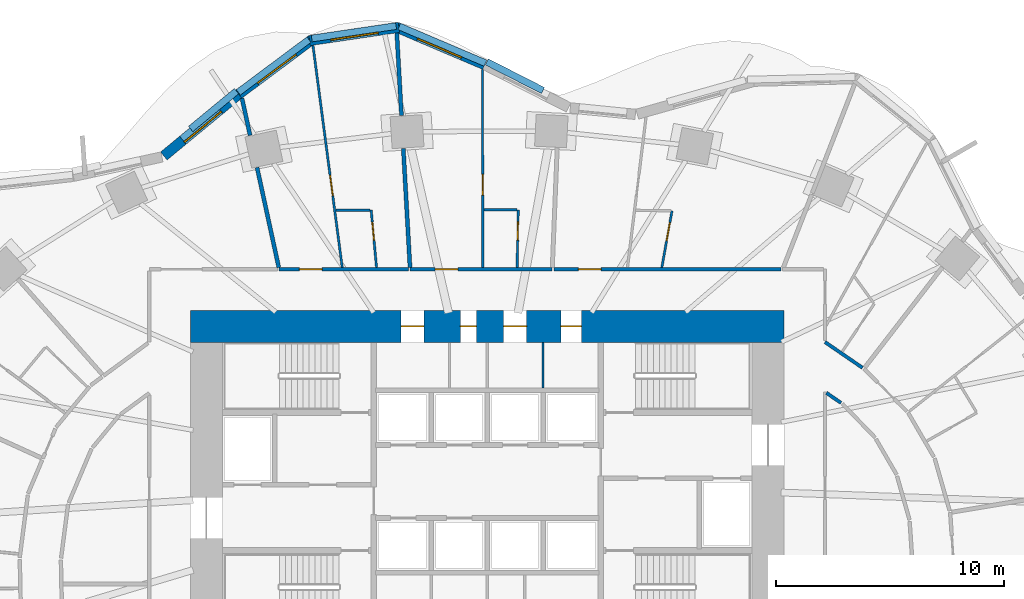
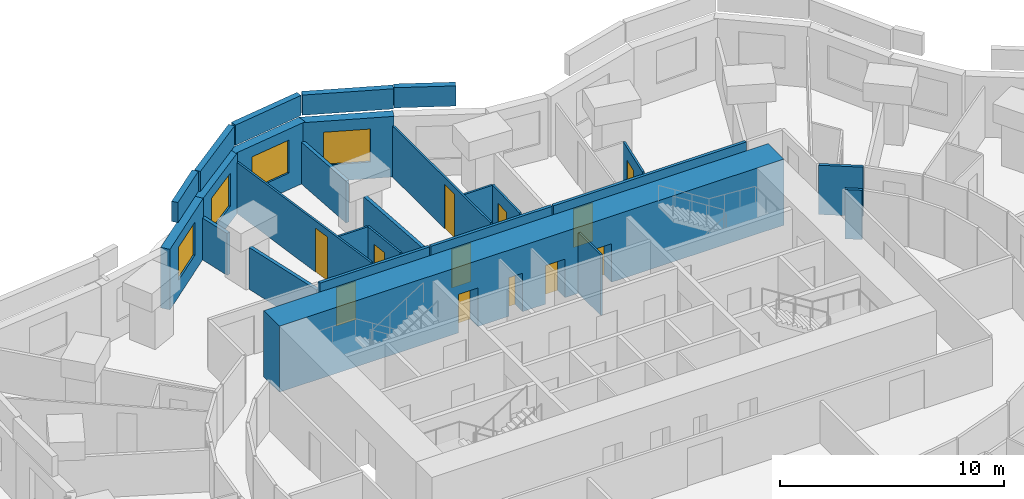
# One storey, part 9 of 12: 27 walls, 12 doors, 4 windows, 16 openings.
"""IFC4 building model written with IfcOpenShell, lengths in metres."""

from ifc_helpers import new_model, si_unit, direction, frame, frame_2d, origin, place, context, subcontext, project, spatial, rectangle, extrude, material, layer, layer_set, type_object, element, fill, save


model = new_model("IFC4")

# Units and contexts
model_context = context("Model", 3, precision=1e-05, world=origin(), true_north=direction((0.0, 1.0)))
body_context = subcontext(model_context, "Body", "Model", "MODEL_VIEW")
ifc_project = project(units=[si_unit("LENGTHUNIT", "METRE"), si_unit("AREAUNIT", "SQUARE_METRE"), si_unit("VOLUMEUNIT", "CUBIC_METRE"), si_unit("PLANEANGLEUNIT", "RADIAN"), si_unit("MASSUNIT", "GRAM", prefix="KILO")], contexts=[model_context])

# Site, building, storey
site_placement = place(None, origin())
site = spatial("IfcSite", under=ifc_project, at=site_placement, CompositionType="ELEMENT")
building_placement = place(site_placement, origin())
building = spatial("IfcBuilding", under=site, at=building_placement, Name="Rubra Terraces Tower", CompositionType="ELEMENT")
storey_placement = place(building_placement, frame((0.0, 0.0, 73.5)))
storey = spatial("IfcBuildingStorey", under=building, at=storey_placement, Name="L16", CompositionType="ELEMENT", Elevation=73.5)

# Walls
ifc_material_1 = material(Name="Twin plasterboard on staggered steel stud, acoustic mineral wool", Category="steel")
ifc_layer_1 = layer(ifc_material_1, 0.175048828125)
ifc_layer_set_1 = layer_set([ifc_layer_1], Name="Twin plasterboard on staggered steel stud, acoustic mineral wool")
wall_type_1 = type_object("IfcWallType", Name="ACOUSTIC PARTY WALL 175 LOW HEAD", PredefinedType="PARTITIONING", material=ifc_layer_set_1)
wall_1_placement = place(storey_placement, frame((-3.958251953125, 24.15087890625, 0.0), z_axis=(0.0, 0.0, 1.0), x_axis=(0.056208193319, -0.998419069832, 0.0)))
element("IfcWall", 1, at=wall_1_placement, inside=storey, type_object=wall_type_1, Name="PARTITION", PredefinedType="PARTITIONING", context=body_context, shape_type="SweptSolid", body=[
    extrude(rectangle(XDim=3.626708984375, YDim=0.175048828125, at=frame_2d((1.8134765625, 0.0))), origin(), (0.0, 0.0, 1.0), 2.280029296875),
])
wall_2_placement = place(storey_placement, frame((-3.673583984375, 19.09228515625, 0.0), z_axis=(0.0, 0.0, 1.0), x_axis=(0.056204883722, -0.998419256147, 0.0)))
element("IfcWall", 2, at=wall_2_placement, inside=storey, type_object=wall_type_1, Name="PARTITION", PredefinedType="PARTITIONING", context=body_context, shape_type="SweptSolid", body=[
    extrude(rectangle(XDim=5.2255859375, YDim=0.175048828125, at=frame_2d((2.61279296875, 0.0))), origin(), (0.0, 0.0, 1.0), 2.280029296875),
])
wall_3_placement = place(storey_placement, frame((-10.7412109375, 21.289794921875, 0.0), z_axis=(0.0, 0.0, 1.0), x_axis=(0.212673207196, -0.977123383683, 0.0)))
element("IfcWall", 3, at=wall_3_placement, inside=storey, type_object=wall_type_1, Name="PARTITION", PredefinedType="PARTITIONING", context=body_context, shape_type="SweptSolid", body=[
    extrude(rectangle(XDim=1.66455078125, YDim=0.175048828125, at=frame_2d((0.832275390625, 0.0))), origin(), (0.0, 0.0, 1.0), 2.280029296875),
])
wall_4_placement = place(storey_placement, frame((-10.081298828125, 18.256103515625, 0.0), z_axis=(0.0, 0.0, 1.0), x_axis=(0.212553930516, -0.977149336909, 0.0)))
element("IfcWall", 4, at=wall_4_placement, inside=storey, type_object=wall_type_1, Name="PARTITION", PredefinedType="PARTITIONING", context=body_context, shape_type="SweptSolid", body=[
    extrude(rectangle(XDim=4.4853515625, YDim=0.175048828125, at=frame_2d((2.24267578125, 0.0))), origin(), (0.0, 0.0, 1.0), 2.280029296875),
])

# Wall, opening, window
ifc_material_2 = material(Name="Brick masonry red-brown", Category="masonry")
ifc_layer_2 = layer(ifc_material_2, 0.449951171875)
ifc_layer_set_2 = layer_set([ifc_layer_2], Name="Brick masonry red-brown")
wall_type_2 = type_object("IfcWallType", Name="Brick facade wall 450", PredefinedType="SOLIDWALL", material=ifc_layer_set_2)
wall_5_placement = place(storey_placement, frame((-0.103271484375, 22.7578125, 0.0), z_axis=(0.0, 0.0, 1.0), x_axis=(-0.920037498786, 0.391830321475, 0.0)))
wall_5 = element("IfcWall", 5, at=wall_5_placement, inside=storey, type_object=wall_type_2, Name="Facade wall L16 bay 11", PredefinedType="SOLIDWALL", context=body_context, shape_type="SweptSolid", body=[
    extrude(rectangle(XDim=4.219482421875, YDim=0.449951171875, at=frame_2d((2.10986328125, 0.0))), origin(), (0.0, 0.0, 1.0), 3.300048828125),
])
opening_1_placement = place(wall_5_placement, frame((1.059814453125, 0.0, 0.89990234375)))
opening_1 = element("IfcOpeningElement", 6, at=opening_1_placement, cuts=wall_5, Name="Opening W1Z", PredefinedType="OPENING", context=body_context, shape_type="SweptSolid", body=[
    extrude(rectangle(XDim=2.10009765625, YDim=1.800048828125, at=frame_2d((1.050048828125, 0.89990234375))), frame((0.0, 0.23486328125, 0.0), z_axis=(0.0, -1.0, 0.0), x_axis=(1.0, 0.0, 0.0)), (0.0, 0.0, 1.0), 0.469970703125),
])
ifc_material_3 = material(Name="Clear glass in aluminium frame", Category="aluminium")
window_type = type_object("IfcWindowType", Name="Fixed deep-set window under transfer level 2100 x 1800", PartitioningType="SINGLE_PANEL", PredefinedType="WINDOW", material=ifc_material_3)
window_1_placement = place(opening_1_placement, origin())
window_1 = element("IfcWindow", 7, at=window_1_placement, inside=storey, type_object=window_type, Name="Window L16 bay 11", OverallHeight=1.800048828125, OverallWidth=2.10009765625, PartitioningType="SINGLE_PANEL", PredefinedType="WINDOW", context=body_context, shape_type="SweptSolid", body=[
    extrude(rectangle(XDim=2.10009765625, YDim=1.800048828125, at=frame_2d((1.050048828125, 0.89990234375))), frame((0.0, 0.135009765625, 0.0), z_axis=(0.0, -1.0, 0.0), x_axis=(1.0, 0.0, 0.0)), (0.0, 0.0, 1.0), 0.06005859375),
])
fill(opening_1, window_1)

wall_6_placement = place(storey_placement, frame((-3.8662109375, 24.396484375, 0.0), z_axis=(0.0, 0.0, 1.0), x_axis=(-0.989255112942, -0.146199594798, 0.0)))
wall_6 = element("IfcWall", 8, at=wall_6_placement, inside=storey, type_object=wall_type_2, Name="Facade wall L16 bay 12", PredefinedType="SOLIDWALL", context=body_context, shape_type="SweptSolid", body=[
    extrude(rectangle(XDim=3.954345703125, YDim=0.449951171875, at=frame_2d((1.97705078125, 0.0))), origin(), (0.0, 0.0, 1.0), 3.300048828125),
])
opening_2_placement = place(wall_6_placement, frame((0.92724609375, 0.0, 0.89990234375)))
opening_2 = element("IfcOpeningElement", 9, at=opening_2_placement, cuts=wall_6, Name="Opening W1Z", PredefinedType="OPENING", context=body_context, shape_type="SweptSolid", body=[
    extrude(rectangle(XDim=2.10009765625, YDim=1.800048828125, at=frame_2d((1.050048828125, 0.89990234375))), frame((0.0, 0.23486328125, 0.0), z_axis=(0.0, -1.0, 0.0), x_axis=(1.0, 0.0, 0.0)), (0.0, 0.0, 1.0), 0.469970703125),
])
window_2_placement = place(opening_2_placement, origin())
window_2 = element("IfcWindow", 10, at=window_2_placement, inside=storey, type_object=window_type, Name="Window L16 bay 12", OverallHeight=1.800048828125, OverallWidth=2.10009765625, PartitioningType="SINGLE_PANEL", PredefinedType="WINDOW", context=body_context, shape_type="SweptSolid", body=[
    extrude(rectangle(XDim=2.10009765625, YDim=1.800048828125, at=frame_2d((1.050048828125, 0.89990234375))), frame((0.0, 0.135009765625, 0.0), z_axis=(0.0, -1.0, 0.0), x_axis=(1.0, 0.0, 0.0)), (0.0, 0.0, 1.0), 0.06005859375),
])
fill(opening_2, window_2)

wall_7_placement = place(storey_placement, frame((-7.678466796875, 23.859130859375, 0.0), z_axis=(0.0, 0.0, 1.0), x_axis=(-0.801665619573, -0.597772728046, 0.0)))
wall_7 = element("IfcWall", 11, at=wall_7_placement, inside=storey, type_object=wall_type_2, Name="Facade wall L16 bay 13", PredefinedType="SOLIDWALL", context=body_context, shape_type="SweptSolid", body=[
    extrude(rectangle(XDim=4.0029296875, YDim=0.449951171875, at=frame_2d((2.00146484375, 0.0))), origin(), (0.0, 0.0, 1.0), 3.300048828125),
])
opening_3_placement = place(wall_7_placement, frame((0.951416015625, 0.0, 0.89990234375)))
opening_3 = element("IfcOpeningElement", 12, at=opening_3_placement, cuts=wall_7, Name="Opening W1Z", PredefinedType="OPENING", context=body_context, shape_type="SweptSolid", body=[
    extrude(rectangle(XDim=2.10009765625, YDim=1.800048828125, at=frame_2d((1.050048828125, 0.89990234375))), frame((0.0, 0.23486328125, 0.0), z_axis=(0.0, -1.0, 0.0), x_axis=(1.0, 0.0, 0.0)), (0.0, 0.0, 1.0), 0.469970703125),
])
window_3_placement = place(opening_3_placement, origin())
window_3 = element("IfcWindow", 13, at=window_3_placement, inside=storey, type_object=window_type, Name="Window L16 bay 13", OverallHeight=1.800048828125, OverallWidth=2.10009765625, PartitioningType="SINGLE_PANEL", PredefinedType="WINDOW", context=body_context, shape_type="SweptSolid", body=[
    extrude(rectangle(XDim=2.10009765625, YDim=1.800048828125, at=frame_2d((1.050048828125, 0.89990234375))), frame((0.0, 0.135009765625, 0.0), z_axis=(0.0, -1.0, 0.0), x_axis=(1.0, 0.0, 0.0)), (0.0, 0.0, 1.0), 0.06005859375),
])
fill(opening_3, window_3)

wall_8_placement = place(storey_placement, frame((-10.878662109375, 21.473388671875, 0.0), z_axis=(0.0, 0.0, 1.0), x_axis=(-0.77124668946, -0.636536365023, 0.0)))
wall_8 = element("IfcWall", 14, at=wall_8_placement, inside=storey, type_object=wall_type_2, Name="Facade wall L16 bay 14", PredefinedType="SOLIDWALL", context=body_context, shape_type="SweptSolid", body=[
    extrude(rectangle(XDim=4.2607421875, YDim=0.449951171875, at=frame_2d((2.13037109375, 0.0))), origin(), (0.0, 0.0, 1.0), 3.300048828125),
])
opening_4_placement = place(wall_8_placement, frame((1.080322265625, 0.0, 0.89990234375)))
opening_4 = element("IfcOpeningElement", 15, at=opening_4_placement, cuts=wall_8, Name="Opening W1Z", PredefinedType="OPENING", context=body_context, shape_type="SweptSolid", body=[
    extrude(rectangle(XDim=2.10009765625, YDim=1.800048828125, at=frame_2d((1.050048828125, 0.89990234375))), frame((0.0, 0.23486328125, 0.0), z_axis=(0.0, -1.0, 0.0), x_axis=(1.0, 0.0, 0.0)), (0.0, 0.0, 1.0), 0.469970703125),
])
window_4_placement = place(opening_4_placement, origin())
window_4 = element("IfcWindow", 16, at=window_4_placement, inside=storey, type_object=window_type, Name="Window L16 bay 14", OverallHeight=1.800048828125, OverallWidth=2.10009765625, PartitioningType="SINGLE_PANEL", PredefinedType="WINDOW", context=body_context, shape_type="SweptSolid", body=[
    extrude(rectangle(XDim=2.10009765625, YDim=1.800048828125, at=frame_2d((1.050048828125, 0.89990234375))), frame((0.0, 0.135009765625, 0.0), z_axis=(0.0, -1.0, 0.0), x_axis=(1.0, 0.0, 0.0)), (0.0, 0.0, 1.0), 0.06005859375),
])
fill(opening_4, window_4)

# Walls
ifc_layer_3 = layer(ifc_material_2, 0.300048828125)
ifc_layer_set_3 = layer_set([ifc_layer_3], Name="Brick masonry red-brown")
wall_type_3 = type_object("IfcWallType", Name="Brick parapet 300", PredefinedType="PARAPET", material=ifc_layer_set_3)
wall_9_placement = place(storey_placement, frame((2.448486328125, 21.62744140625, 3.60009765625), z_axis=(0.0, 0.0, 1.0), x_axis=(-0.891061751317, 0.453882094095, 0.0)))
element("IfcWall", 17, at=wall_9_placement, inside=storey, type_object=wall_type_3, Name="Parapet L16 bay 10", PredefinedType="PARAPET", context=body_context, shape_type="SweptSolid", body=[
    extrude(rectangle(XDim=2.7626953125, YDim=0.300048828125, at=frame_2d((1.38134765625, 0.0))), origin(), (0.0, 0.0, 1.0), 1.099853515625),
])
wall_10_placement = place(storey_placement, frame((-0.07470703125, 22.8271484375, 3.60009765625), z_axis=(0.0, 0.0, 1.0), x_axis=(-0.920031521407, 0.391844356367, 0.0)))
element("IfcWall", 18, at=wall_10_placement, inside=storey, type_object=wall_type_3, Name="Parapet L16 bay 11", PredefinedType="PARAPET", context=body_context, shape_type="SweptSolid", body=[
    extrude(rectangle(XDim=4.10595703125, YDim=0.300048828125, at=frame_2d((2.052978515625, 0.0))), origin(), (0.0, 0.0, 1.0), 1.099853515625),
])
wall_11_placement = place(storey_placement, frame((-3.990234375, 24.453857421875, 3.60009765625), z_axis=(0.0, 0.0, 1.0), x_axis=(-0.989258150551, -0.146179039429, 0.0)))
element("IfcWall", 19, at=wall_11_placement, inside=storey, type_object=wall_type_3, Name="Parapet L16 bay 12", PredefinedType="PARAPET", context=body_context, shape_type="SweptSolid", body=[
    extrude(rectangle(XDim=3.734375, YDim=0.300048828125, at=frame_2d((1.8671875, 0.0))), origin(), (0.0, 0.0, 1.0), 1.099853515625),
])
wall_12_placement = place(storey_placement, frame((-7.80615234375, 23.857666015625, 3.60009765625), z_axis=(0.0, 0.0, 1.0), x_axis=(-0.801649538596, -0.597794293439, 0.0)))
element("IfcWall", 20, at=wall_12_placement, inside=storey, type_object=wall_type_3, Name="Parapet L16 bay 13", PredefinedType="PARAPET", context=body_context, shape_type="SweptSolid", body=[
    extrude(rectangle(XDim=3.86474609375, YDim=0.300048828125, at=frame_2d((1.932373046875, 0.0))), origin(), (0.0, 0.0, 1.0), 1.099853515625),
])
wall_13_placement = place(storey_placement, frame((-10.981689453125, 21.60107421875, 3.60009765625), z_axis=(0.0, 0.0, 1.0), x_axis=(-0.771288080572, -0.63648621098, 0.0)))
element("IfcWall", 21, at=wall_13_placement, inside=storey, type_object=wall_type_3, Name="Parapet L16 bay 14", PredefinedType="PARAPET", context=body_context, shape_type="SweptSolid", body=[
    extrude(rectangle(XDim=2.6025390625, YDim=0.300048828125, at=frame_2d((1.30126953125, 0.0))), origin(), (0.0, 0.0, 1.0), 1.099853515625),
])

# Wall, openings, doors
ifc_material_4 = material(Name="Concrete C70", Category="concrete")
ifc_layer_4 = layer(ifc_material_4, 1.39990234375)
ifc_layer_set_4 = layer_set([ifc_layer_4], Name="Concrete C70")
wall_type_4 = type_object("IfcWallType", Name="CORE WALL 1400 C70", PredefinedType="SHEAR", material=ifc_layer_set_4)
wall_14_placement = place(storey_placement, frame((-13.0, 11.300048828125, 0.0), z_axis=(0.0, 0.0, 1.0), x_axis=(1.0, 0.0, 0.0)))
wall_14 = element("IfcWall", 22, at=wall_14_placement, inside=storey, type_object=wall_type_4, Name="CORE WALL N L16", PredefinedType="SHEAR", context=body_context, shape_type="SweptSolid", body=[
    extrude(rectangle(XDim=26.0, YDim=1.39990234375, at=frame_2d((13.0, 0.0))), origin(), (0.0, 0.0, 1.0), 3.60009765625),
])
opening_5_placement = place(wall_14_placement, frame((9.22509765625, 0.0, 0.0)))
opening_5 = element("IfcOpeningElement", 23, at=opening_5_placement, cuts=wall_14, Name="Opening L16.C23", PredefinedType="OPENING", context=body_context, shape_type="SweptSolid", body=[
    extrude(rectangle(XDim=1.0, YDim=2.10009765625, at=frame_2d((0.5, 1.050048828125))), frame((0.0, 0.7099609375, 0.0), z_axis=(0.0, -1.0, 0.0), x_axis=(1.0, 0.0, 0.0)), (0.0, 0.0, 1.0), 1.419921875),
])
opening_6_placement = place(wall_14_placement, frame((11.824951171875, 0.0, 0.0)))
opening_6 = element("IfcOpeningElement", 24, at=opening_6_placement, cuts=wall_14, Name="Opening L16.C24", PredefinedType="OPENING", context=body_context, shape_type="SweptSolid", body=[
    extrude(rectangle(XDim=0.699951171875, YDim=2.10009765625, at=frame_2d((0.35009765625, 1.050048828125))), frame((0.0, 0.7099609375, 0.0), z_axis=(0.0, -1.0, 0.0), x_axis=(1.0, 0.0, 0.0)), (0.0, 0.0, 1.0), 1.419921875),
])
opening_7_placement = place(wall_14_placement, frame((13.72509765625, 0.0, 0.0)))
opening_7 = element("IfcOpeningElement", 25, at=opening_7_placement, cuts=wall_14, Name="Opening L16.C25", PredefinedType="OPENING", context=body_context, shape_type="SweptSolid", body=[
    extrude(rectangle(XDim=1.0, YDim=2.10009765625, at=frame_2d((0.5, 1.050048828125))), frame((0.0, 0.7099609375, 0.0), z_axis=(0.0, -1.0, 0.0), x_axis=(1.0, 0.0, 0.0)), (0.0, 0.0, 1.0), 1.419921875),
])
opening_8_placement = place(wall_14_placement, frame((16.22509765625, 0.0, 0.0)))
opening_8 = element("IfcOpeningElement", 26, at=opening_8_placement, cuts=wall_14, Name="Opening L16.C26", PredefinedType="OPENING", context=body_context, shape_type="SweptSolid", body=[
    extrude(rectangle(XDim=0.89990234375, YDim=2.10009765625, at=frame_2d((0.449951171875, 1.050048828125))), frame((0.0, 0.7099609375, 0.0), z_axis=(0.0, -1.0, 0.0), x_axis=(1.0, 0.0, 0.0)), (0.0, 0.0, 1.0), 1.419921875),
])
ifc_material_5 = material(Name="Painted steel", Category="steel")
door_type_1 = type_object("IfcDoorType", Name="Fire door 1000x2100 single", OperationType="NOTDEFINED", PredefinedType="DOOR", material=ifc_material_5)
door_1_placement = place(opening_5_placement, origin())
door_1 = element("IfcDoor", 27, at=door_1_placement, inside=storey, type_object=door_type_1, Name="General store door", OperationType="SINGLE_SWING_LEFT", OverallHeight=2.10009765625, OverallWidth=1.0, PredefinedType="DOOR", context=body_context, shape_type="SweptSolid", body=[
    extrude(rectangle(XDim=1.0, YDim=2.10009765625, at=frame_2d((0.5, 1.050048828125))), frame((0.0, 0.02490234375, 0.0), z_axis=(0.0, -1.0, 0.0), x_axis=(1.0, 0.0, 0.0)), (0.0, 0.0, 1.0), 0.050048828125),
])
fill(opening_5, door_1)
door_2_placement = place(opening_7_placement, origin())
door_2 = element("IfcDoor", 28, at=door_2_placement, inside=storey, type_object=door_type_1, Name="Tea point door", OperationType="SINGLE_SWING_LEFT", OverallHeight=2.10009765625, OverallWidth=1.0, PredefinedType="DOOR", context=body_context, shape_type="SweptSolid", body=[
    extrude(rectangle(XDim=1.0, YDim=2.10009765625, at=frame_2d((0.5, 1.050048828125))), frame((0.0, 0.02490234375, 0.0), z_axis=(0.0, -1.0, 0.0), x_axis=(1.0, 0.0, 0.0)), (0.0, 0.0, 1.0), 0.050048828125),
])
fill(opening_7, door_2)
door_type_2 = type_object("IfcDoorType", Name="Fire door 900x2100 single", OperationType="NOTDEFINED", PredefinedType="DOOR", material=ifc_material_5)
door_3_placement = place(opening_8_placement, origin())
door_3 = element("IfcDoor", 29, at=door_3_placement, inside=storey, type_object=door_type_2, Name="Cleaner's store door", OperationType="SINGLE_SWING_RIGHT", OverallHeight=2.10009765625, OverallWidth=0.89990234375, PredefinedType="DOOR", context=body_context, shape_type="SweptSolid", body=[
    extrude(rectangle(XDim=0.89990234375, YDim=2.10009765625, at=frame_2d((0.449951171875, 1.050048828125))), frame((0.0, 0.02490234375, 0.0), z_axis=(0.0, -1.0, 0.0), x_axis=(1.0, 0.0, 0.0)), (0.0, 0.0, 1.0), 0.050048828125),
])
fill(opening_8, door_3)
door_type_3 = type_object("IfcDoorType", Name="Riser access door 700x2100 single", OperationType="NOTDEFINED", PredefinedType="DOOR", material=ifc_material_5)
door_4_placement = place(opening_6_placement, origin())
door_4 = element("IfcDoor", 30, at=door_4_placement, inside=storey, type_object=door_type_3, Name="Electrical riser room door", OperationType="SINGLE_SWING_RIGHT", OverallHeight=2.10009765625, OverallWidth=0.699951171875, PredefinedType="DOOR", context=body_context, shape_type="SweptSolid", body=[
    extrude(rectangle(XDim=0.699951171875, YDim=2.10009765625, at=frame_2d((0.35009765625, 1.050048828125))), frame((0.0, 0.02490234375, 0.0), z_axis=(0.0, -1.0, 0.0), x_axis=(1.0, 0.0, 0.0)), (0.0, 0.0, 1.0), 0.050048828125),
])
fill(opening_6, door_4)

# Wall, opening, door
ifc_material_6 = material(Name="Plasterboard on steel stud, mineral wool infill", Category="steel")
ifc_layer_5 = layer(ifc_material_6, 0.14990234375)
ifc_layer_set_5 = layer_set([ifc_layer_5], Name="Plasterboard on steel stud, mineral wool infill")
wall_type_5 = type_object("IfcWallType", Name="CORRIDOR PARTITION 150", PredefinedType="PARTITIONING", material=ifc_layer_set_5)
wall_15_placement = place(storey_placement, frame((2.8505859375, 13.800048828125, 0.0), z_axis=(0.0, 0.0, 1.0), x_axis=(-1.0, 0.0, 0.0)))
wall_15 = element("IfcWall", 31, at=wall_15_placement, inside=storey, type_object=wall_type_5, Name="PARTITION", PredefinedType="PARTITIONING", context=body_context, shape_type="SweptSolid", body=[
    extrude(rectangle(XDim=6.226318359375, YDim=0.14990234375, at=frame_2d((3.11328125, 0.0))), origin(), (0.0, 0.0, 1.0), 2.68408203125),
])
opening_9_placement = place(wall_15_placement, frame((4.133056640625, 0.0, 0.0)))
opening_9 = element("IfcOpeningElement", 32, at=opening_9_placement, cuts=wall_15, Name="Opening 16-103", PredefinedType="OPENING", context=body_context, shape_type="SweptSolid", body=[
    extrude(rectangle(XDim=1.0, YDim=2.10009765625, at=frame_2d((0.5, 1.050048828125))), frame((0.0, 0.0849609375, 0.0), z_axis=(0.0, -1.0, 0.0), x_axis=(1.0, 0.0, 0.0)), (0.0, 0.0, 1.0), 0.169921875),
])
ifc_material_7 = material(Name="Painted timber door leaf", Category="wood")
door_type_4 = type_object("IfcDoorType", Name="ROOM DOOR 1000 X 2100", OperationType="SINGLE_SWING_LEFT", PredefinedType="DOOR", material=ifc_material_7)
door_5_placement = place(opening_9_placement, origin())
door_5 = element("IfcDoor", 33, at=door_5_placement, inside=storey, type_object=door_type_4, Name="DOOR 16-103", OperationType="SINGLE_SWING_RIGHT", OverallHeight=2.10009765625, OverallWidth=1.0, PredefinedType="DOOR", context=body_context, shape_type="SweptSolid", body=[
    extrude(rectangle(XDim=1.0, YDim=2.10009765625, at=frame_2d((0.5, 1.050048828125))), frame((0.0, 0.02490234375, 0.0), z_axis=(0.0, -1.0, 0.0), x_axis=(1.0, 0.0, 0.0)), (0.0, 0.0, 1.0), 0.050048828125),
])
fill(opening_9, door_5)

wall_16_placement = place(storey_placement, frame((-3.45068359375, 13.800048828125, 0.0), z_axis=(0.0, 0.0, 1.0), x_axis=(-1.0, 0.0, 0.0)))
wall_16 = element("IfcWall", 34, at=wall_16_placement, inside=storey, type_object=wall_type_5, Name="PARTITION", PredefinedType="PARTITIONING", context=body_context, shape_type="SweptSolid", body=[
    extrude(rectangle(XDim=5.661376953125, YDim=0.14990234375, at=frame_2d((2.83056640625, 0.0))), origin(), (0.0, 0.0, 1.0), 2.68408203125),
])
opening_10_placement = place(wall_16_placement, frame((3.77490234375, 0.0, 0.0)))
opening_10 = element("IfcOpeningElement", 35, at=opening_10_placement, cuts=wall_16, Name="Opening 16-106", PredefinedType="OPENING", context=body_context, shape_type="SweptSolid", body=[
    extrude(rectangle(XDim=1.0, YDim=2.10009765625, at=frame_2d((0.5, 1.050048828125))), frame((0.0, 0.0849609375, 0.0), z_axis=(0.0, -1.0, 0.0), x_axis=(1.0, 0.0, 0.0)), (0.0, 0.0, 1.0), 0.169921875),
])
door_6_placement = place(opening_10_placement, origin())
door_6 = element("IfcDoor", 36, at=door_6_placement, inside=storey, type_object=door_type_4, Name="DOOR 16-106", OperationType="SINGLE_SWING_RIGHT", OverallHeight=2.10009765625, OverallWidth=1.0, PredefinedType="DOOR", context=body_context, shape_type="SweptSolid", body=[
    extrude(rectangle(XDim=1.0, YDim=2.10009765625, at=frame_2d((0.5, 1.050048828125))), frame((0.0, 0.02490234375, 0.0), z_axis=(0.0, -1.0, 0.0), x_axis=(1.0, 0.0, 0.0)), (0.0, 0.0, 1.0), 0.050048828125),
])
fill(opening_10, door_6)

# Wall
wall_17_placement = place(storey_placement, frame((16.441162109375, 9.482666015625, 0.0), z_axis=(0.0, 0.0, 1.0), x_axis=(-0.824864553064, 0.565330407017, 0.0)))
element("IfcWall", 37, at=wall_17_placement, inside=storey, type_object=wall_type_5, Name="PARTITION", PredefinedType="PARTITIONING", context=body_context, shape_type="SweptSolid", body=[
    extrude(rectangle(XDim=1.989501953125, YDim=0.14990234375, at=frame_2d((0.99462890625, 0.0))), origin(), (0.0, 0.0, 1.0), 2.68408203125),
])

# Wall, opening, door
wall_18_placement = place(storey_placement, frame((12.87158203125, 13.800048828125, 0.0), z_axis=(0.0, 0.0, 1.0), x_axis=(-1.0, 0.0, 0.0)))
wall_18 = element("IfcWall", 38, at=wall_18_placement, inside=storey, type_object=wall_type_5, Name="PARTITION", PredefinedType="PARTITIONING", context=body_context, shape_type="SweptSolid", body=[
    extrude(rectangle(XDim=9.946044921875, YDim=0.14990234375, at=frame_2d((4.97314453125, 0.0))), origin(), (0.0, 0.0, 1.0), 2.68408203125),
])
opening_11_placement = place(wall_18_placement, frame((7.876953125, 0.0, 0.0)))
opening_11 = element("IfcOpeningElement", 39, at=opening_11_placement, cuts=wall_18, Name="Opening 16-139", PredefinedType="OPENING", context=body_context, shape_type="SweptSolid", body=[
    extrude(rectangle(XDim=1.0, YDim=2.10009765625, at=frame_2d((0.5, 1.050048828125))), frame((0.0, 0.0849609375, 0.0), z_axis=(0.0, -1.0, 0.0), x_axis=(1.0, 0.0, 0.0)), (0.0, 0.0, 1.0), 0.169921875),
])
door_7_placement = place(opening_11_placement, origin())
door_7 = element("IfcDoor", 40, at=door_7_placement, inside=storey, type_object=door_type_4, Name="DOOR 16-139", OperationType="SINGLE_SWING_RIGHT", OverallHeight=2.10009765625, OverallWidth=1.0, PredefinedType="DOOR", context=body_context, shape_type="SweptSolid", body=[
    extrude(rectangle(XDim=1.0, YDim=2.10009765625, at=frame_2d((0.5, 1.050048828125))), frame((0.0, 0.02490234375, 0.0), z_axis=(0.0, -1.0, 0.0), x_axis=(1.0, 0.0, 0.0)), (0.0, 0.0, 1.0), 0.050048828125),
])
fill(opening_11, door_7)

# Wall
wall_19_placement = place(storey_placement, frame((14.86181640625, 8.3828125, 0.0), z_axis=(0.0, 0.0, 1.0), x_axis=(0.824875387239, -0.565314598721, 0.0)))
element("IfcWall", 41, at=wall_19_placement, inside=storey, type_object=wall_type_5, Name="PARTITION", PredefinedType="PARTITIONING", context=body_context, shape_type="SweptSolid", body=[
    extrude(rectangle(XDim=0.77685546875, YDim=0.14990234375, at=frame_2d((0.388427734375, 0.0))), origin(), (0.0, 0.0, 1.0), 2.68408203125),
])

# Wall, opening, door
ifc_material_8 = material(Name="Plasterboard on steel stud", Category="steel")
ifc_layer_6 = layer(ifc_material_8, 0.10009765625)
ifc_layer_set_6 = layer_set([ifc_layer_6], Name="Plasterboard on steel stud")
wall_type_6 = type_object("IfcWallType", Name="ROOM PARTITION 100", PredefinedType="PARTITIONING", material=ifc_layer_set_6)
wall_20_placement = place(storey_placement, frame((-0.20751953125, 22.55322265625, 0.0), z_axis=(0.0, 0.0, 1.0), x_axis=(0.002053672595, -0.999997891212, 0.0)))
wall_20 = element("IfcWall", 42, at=wall_20_placement, inside=storey, type_object=wall_type_6, Name="PARTITION", PredefinedType="PARTITIONING", context=body_context, shape_type="SweptSolid", body=[
    extrude(rectangle(XDim=8.67822265625, YDim=0.10009765625, at=frame_2d((4.339111328125, 0.0))), origin(), (0.0, 0.0, 1.0), 2.783935546875),
])
opening_12_placement = place(wall_20_placement, frame((4.60302734375, 0.0, 0.0)))
opening_12 = element("IfcOpeningElement", 43, at=opening_12_placement, cuts=wall_20, Name="Opening 16-102", PredefinedType="OPENING", context=body_context, shape_type="SweptSolid", body=[
    extrude(rectangle(XDim=0.89990234375, YDim=2.39990234375, at=frame_2d((0.449951171875, 1.199951171875))), frame((0.0, 0.06005859375, 0.0), z_axis=(0.0, -1.0, 0.0), x_axis=(1.0, 0.0, 0.0)), (0.0, 0.0, 1.0), 0.1201171875),
])
ifc_material_9 = material(Name="Veneered timber door leaf, fire-rated", Category="wood")
door_type_5 = type_object("IfcDoorType", Name="SUITE ENTRANCE DOOR 900 X 2400", OperationType="SINGLE_SWING_LEFT", PredefinedType="DOOR", material=ifc_material_9)
door_8_placement = place(opening_12_placement, origin())
door_8 = element("IfcDoor", 44, at=door_8_placement, inside=storey, type_object=door_type_5, Name="DOOR 16-102", OperationType="SINGLE_SWING_LEFT", OverallHeight=2.39990234375, OverallWidth=0.89990234375, PredefinedType="DOOR", context=body_context, shape_type="SweptSolid", body=[
    extrude(rectangle(XDim=0.89990234375, YDim=2.39990234375, at=frame_2d((0.449951171875, 1.199951171875))), frame((0.0, 0.02490234375, 0.0), z_axis=(0.0, -1.0, 0.0), x_axis=(1.0, 0.0, 0.0)), (0.0, 0.0, 1.0), 0.050048828125),
])
fill(opening_12, door_8)

wall_21_placement = place(storey_placement, frame((1.31201171875, 13.875, 0.0), z_axis=(0.0, 0.0, 1.0), x_axis=(0.019145426353, 0.999816709527, 0.0)))
wall_21 = element("IfcWall", 45, at=wall_21_placement, inside=storey, type_object=wall_type_6, Name="PARTITION", PredefinedType="PARTITIONING", context=body_context, shape_type="SweptSolid", body=[
    extrude(rectangle(XDim=2.52490234375, YDim=0.10009765625, at=frame_2d((1.262451171875, 0.0))), origin(), (0.0, 0.0, 1.0), 2.783935546875),
])
opening_13_placement = place(wall_21_placement, frame((1.199951171875, 0.0, 0.0)))
opening_13 = element("IfcOpeningElement", 46, at=opening_13_placement, cuts=wall_21, Name="Opening 16-101", PredefinedType="OPENING", context=body_context, shape_type="SweptSolid", body=[
    extrude(rectangle(XDim=0.800048828125, YDim=2.10009765625, at=frame_2d((0.39990234375, 1.050048828125))), frame((0.0, 0.06005859375, 0.0), z_axis=(0.0, -1.0, 0.0), x_axis=(1.0, 0.0, 0.0)), (0.0, 0.0, 1.0), 0.1201171875),
])
door_type_6 = type_object("IfcDoorType", Name="BATHROOM DOOR 800 X 2100", OperationType="SINGLE_SWING_LEFT", PredefinedType="DOOR", material=ifc_material_7)
door_9_placement = place(opening_13_placement, origin())
door_9 = element("IfcDoor", 47, at=door_9_placement, inside=storey, type_object=door_type_6, Name="DOOR 16-101", OperationType="SINGLE_SWING_LEFT", OverallHeight=2.10009765625, OverallWidth=0.800048828125, PredefinedType="DOOR", context=body_context, shape_type="SweptSolid", body=[
    extrude(rectangle(XDim=0.800048828125, YDim=2.10009765625, at=frame_2d((0.39990234375, 1.050048828125))), frame((0.0, 0.02490234375, 0.0), z_axis=(0.0, -1.0, 0.0), x_axis=(1.0, 0.0, 0.0)), (0.0, 0.0, 1.0), 0.050048828125),
])
fill(opening_13, door_9)

# Wall
wall_22_placement = place(storey_placement, frame((1.310302734375, 16.3994140625, 0.0), z_axis=(0.0, 0.0, 1.0), x_axis=(-0.999999943696, 0.000335570451, 0.0)))
element("IfcWall", 48, at=wall_22_placement, inside=storey, type_object=wall_type_6, Name="PARTITION", PredefinedType="PARTITIONING", context=body_context, shape_type="SweptSolid", body=[
    extrude(rectangle(XDim=1.455078125, YDim=0.10009765625, at=frame_2d((0.7275390625, 0.0))), origin(), (0.0, 0.0, 1.0), 2.783935546875),
])

# Wall, opening, door
wall_23_placement = place(storey_placement, frame((-7.632568359375, 23.60791015625, 0.0), z_axis=(0.0, 0.0, 1.0), x_axis=(0.130728541202, -0.991418200617, 0.0)))
wall_23 = element("IfcWall", 49, at=wall_23_placement, inside=storey, type_object=wall_type_6, Name="PARTITION", PredefinedType="PARTITIONING", context=body_context, shape_type="SweptSolid", body=[
    extrude(rectangle(XDim=9.817626953125, YDim=0.10009765625, at=frame_2d((4.90869140625, 0.0))), origin(), (0.0, 0.0, 1.0), 2.783935546875),
])
opening_14_placement = place(wall_23_placement, frame((5.742919921875, 0.0, 0.0)))
opening_14 = element("IfcOpeningElement", 50, at=opening_14_placement, cuts=wall_23, Name="Opening 16-105", PredefinedType="OPENING", context=body_context, shape_type="SweptSolid", body=[
    extrude(rectangle(XDim=0.89990234375, YDim=2.39990234375, at=frame_2d((0.449951171875, 1.199951171875))), frame((0.0, 0.06005859375, 0.0), z_axis=(0.0, -1.0, 0.0), x_axis=(1.0, 0.0, 0.0)), (0.0, 0.0, 1.0), 0.1201171875),
])
door_10_placement = place(opening_14_placement, origin())
door_10 = element("IfcDoor", 51, at=door_10_placement, inside=storey, type_object=door_type_5, Name="DOOR 16-105", OperationType="SINGLE_SWING_LEFT", OverallHeight=2.39990234375, OverallWidth=0.89990234375, PredefinedType="DOOR", context=body_context, shape_type="SweptSolid", body=[
    extrude(rectangle(XDim=0.89990234375, YDim=2.39990234375, at=frame_2d((0.449951171875, 1.199951171875))), frame((0.0, 0.02490234375, 0.0), z_axis=(0.0, -1.0, 0.0), x_axis=(1.0, 0.0, 0.0)), (0.0, 0.0, 1.0), 0.050048828125),
])
fill(opening_14, door_10)

wall_24_placement = place(storey_placement, frame((-4.846435546875, 13.874755859375, 0.0), z_axis=(0.0, 0.0, 1.0), x_axis=(-0.093020198256, 0.995664221872, 0.0)))
wall_24 = element("IfcWall", 52, at=wall_24_placement, inside=storey, type_object=wall_type_6, Name="PARTITION", PredefinedType="PARTITIONING", context=body_context, shape_type="SweptSolid", body=[
    extrude(rectangle(XDim=2.52490234375, YDim=0.10009765625, at=frame_2d((1.262451171875, 0.0))), origin(), (0.0, 0.0, 1.0), 2.783935546875),
])
opening_15_placement = place(wall_24_placement, frame((1.199951171875, 0.0, 0.0)))
opening_15 = element("IfcOpeningElement", 53, at=opening_15_placement, cuts=wall_24, Name="Opening 16-104", PredefinedType="OPENING", context=body_context, shape_type="SweptSolid", body=[
    extrude(rectangle(XDim=0.800048828125, YDim=2.10009765625, at=frame_2d((0.39990234375, 1.050048828125))), frame((0.0, 0.06005859375, 0.0), z_axis=(0.0, -1.0, 0.0), x_axis=(1.0, 0.0, 0.0)), (0.0, 0.0, 1.0), 0.1201171875),
])
door_11_placement = place(opening_15_placement, origin())
door_11 = element("IfcDoor", 54, at=door_11_placement, inside=storey, type_object=door_type_6, Name="DOOR 16-104", OperationType="SINGLE_SWING_LEFT", OverallHeight=2.10009765625, OverallWidth=0.800048828125, PredefinedType="DOOR", context=body_context, shape_type="SweptSolid", body=[
    extrude(rectangle(XDim=0.800048828125, YDim=2.10009765625, at=frame_2d((0.39990234375, 1.050048828125))), frame((0.0, 0.02490234375, 0.0), z_axis=(0.0, -1.0, 0.0), x_axis=(1.0, 0.0, 0.0)), (0.0, 0.0, 1.0), 0.050048828125),
])
fill(opening_15, door_11)

# Wall
wall_25_placement = place(storey_placement, frame((-5.13134765625, 16.388427734375, 0.0), z_axis=(0.0, 0.0, 1.0), x_axis=(-0.99997543811, -0.007008792802, 0.0)))
element("IfcWall", 55, at=wall_25_placement, inside=storey, type_object=wall_type_6, Name="PARTITION", PredefinedType="PARTITIONING", context=body_context, shape_type="SweptSolid", body=[
    extrude(rectangle(XDim=1.497802734375, YDim=0.10009765625, at=frame_2d((0.7490234375, 0.0))), origin(), (0.0, 0.0, 1.0), 2.783935546875),
])

# Wall, opening, door
wall_26_placement = place(storey_placement, frame((7.65185546875, 13.873779296875, 0.0), z_axis=(0.0, 0.0, 1.0), x_axis=(0.176068384664, 0.984377937543, 0.0)))
wall_26 = element("IfcWall", 56, at=wall_26_placement, inside=storey, type_object=wall_type_6, Name="PARTITION", PredefinedType="PARTITIONING", context=body_context, shape_type="SweptSolid", body=[
    extrude(rectangle(XDim=2.525146484375, YDim=0.10009765625, at=frame_2d((1.2626953125, 0.0))), origin(), (0.0, 0.0, 1.0), 2.783935546875),
])
opening_16_placement = place(wall_26_placement, frame((1.199951171875, 0.0, 0.0)))
opening_16 = element("IfcOpeningElement", 57, at=opening_16_placement, cuts=wall_26, Name="Opening 16-137", PredefinedType="OPENING", context=body_context, shape_type="SweptSolid", body=[
    extrude(rectangle(XDim=0.800048828125, YDim=2.10009765625, at=frame_2d((0.39990234375, 1.050048828125))), frame((0.0, 0.06005859375, 0.0), z_axis=(0.0, -1.0, 0.0), x_axis=(1.0, 0.0, 0.0)), (0.0, 0.0, 1.0), 0.1201171875),
])
door_12_placement = place(opening_16_placement, origin())
door_12 = element("IfcDoor", 58, at=door_12_placement, inside=storey, type_object=door_type_6, Name="DOOR 16-137", OperationType="SINGLE_SWING_LEFT", OverallHeight=2.10009765625, OverallWidth=0.800048828125, PredefinedType="DOOR", context=body_context, shape_type="SweptSolid", body=[
    extrude(rectangle(XDim=0.800048828125, YDim=2.10009765625, at=frame_2d((0.39990234375, 1.050048828125))), frame((0.0, 0.02490234375, 0.0), z_axis=(0.0, -1.0, 0.0), x_axis=(1.0, 0.0, 0.0)), (0.0, 0.0, 1.0), 0.050048828125),
])
fill(opening_16, door_12)

# Wall
ifc_material_10 = material(Name="Blockwork", Category="masonry")
ifc_layer_7 = layer(ifc_material_10, 0.10009765625)
ifc_layer_set_7 = layer_set([ifc_layer_7], Name="Blockwork")
wall_type_7 = type_object("IfcWallType", Name="Service partition 100 blockwork", PredefinedType="PARTITIONING", material=ifc_layer_set_7)
wall_27_placement = place(storey_placement, frame((2.449951171875, 8.60009765625, 0.0), z_axis=(0.0, 0.0, 1.0), x_axis=(0.0, 1.0, 0.0)))
element("IfcWall", 59, at=wall_27_placement, inside=storey, type_object=wall_type_7, Name="SERVICE ROOM PARTITION L16", PredefinedType="PARTITIONING", context=body_context, shape_type="SweptSolid", body=[
    extrude(rectangle(XDim=2.0, YDim=0.10009765625, at=frame_2d((1.0, 0.0))), origin(), (0.0, 0.0, 1.0), 3.300048828125),
])

save(model, "model.ifc")
